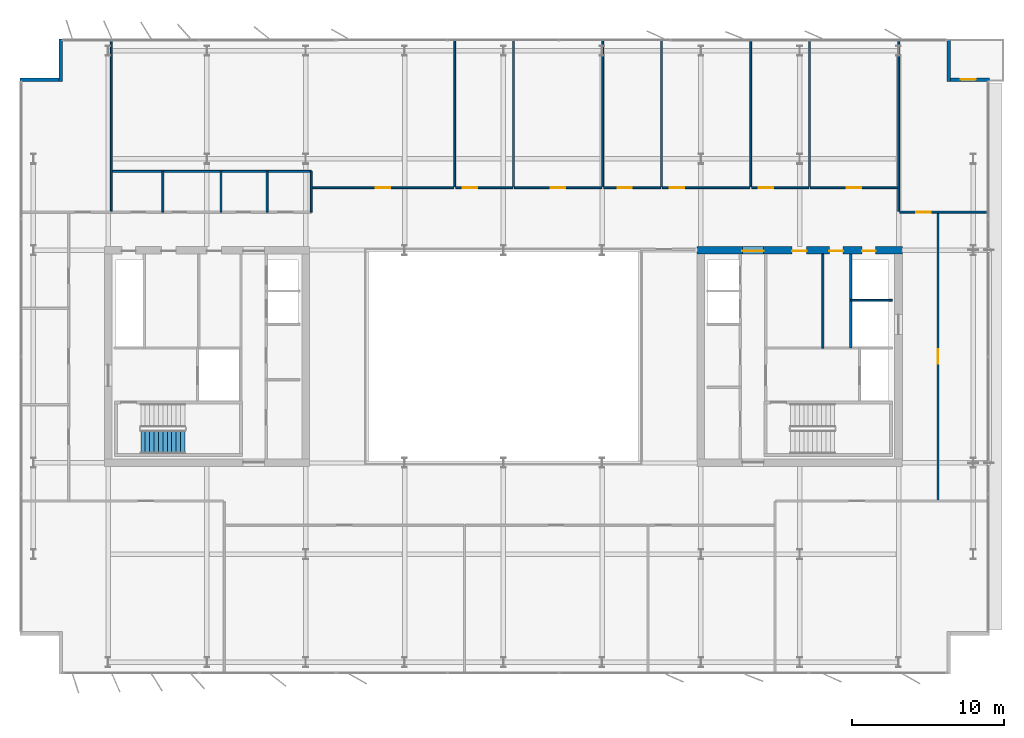
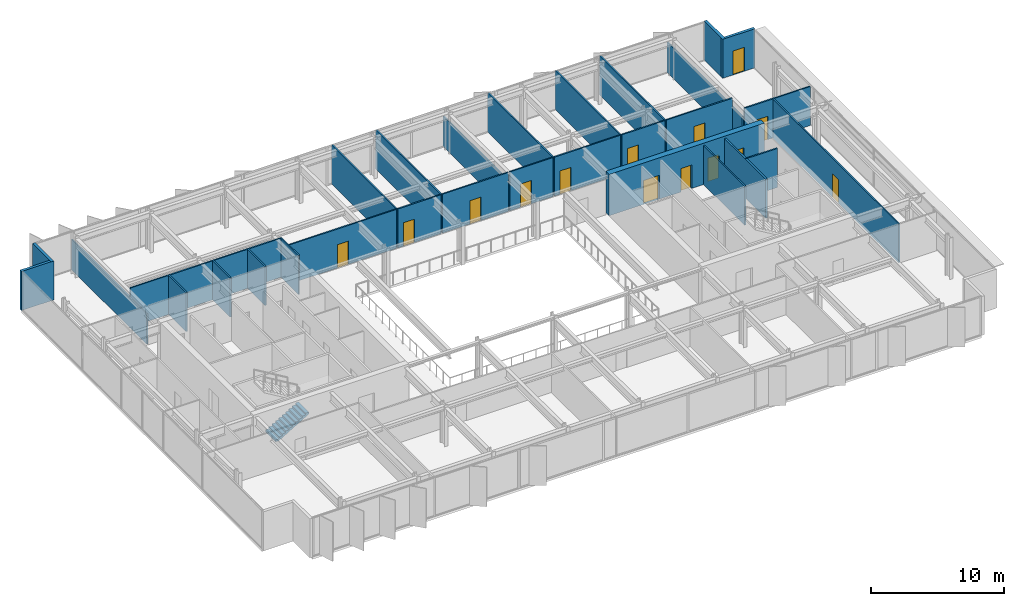
# One storey, part 14 of 19: 30 walls, 14 doors, 1 stair flight, 14 openings, 1 element without a shape of its own.
"""IFC4 building model written with IfcOpenShell, lengths in metres."""

from ifc_helpers import new_model, si_unit, direction, frame, frame_2d, origin, place, context, subcontext, project, spatial, polyline, rectangle, outline, extrude, material, layer, layer_set, type_object, element, fill, aggregate, save


model = new_model("IFC4")

# Units and contexts
model_context = context("Model", 3, precision=1e-05, world=origin(), true_north=direction((0.0, 1.0)))
body_context = subcontext(model_context, "Body", "Model", "MODEL_VIEW")
ifc_project = project(units=[si_unit("LENGTHUNIT", "METRE"), si_unit("AREAUNIT", "SQUARE_METRE"), si_unit("VOLUMEUNIT", "CUBIC_METRE"), si_unit("PLANEANGLEUNIT", "RADIAN"), si_unit("MASSUNIT", "GRAM", prefix="KILO")], contexts=[model_context])

# Site, building, storey
site_placement = place(None, origin())
site = spatial("IfcSite", under=ifc_project, at=site_placement, CompositionType="ELEMENT")
building_placement = place(site_placement, origin())
building = spatial("IfcBuilding", under=site, at=building_placement, Name="Putna Gate Headquarters", CompositionType="ELEMENT")
storey_placement = place(building_placement, frame((0.0, 0.0, 263.199951171875)))
storey = spatial("IfcBuildingStorey", under=building, at=storey_placement, Name="L66", CompositionType="ELEMENT", Elevation=263.199951171875)

# Wall, openings, doors
ifc_material_1 = material(Name="Concrete C50/60", Category="concrete")
ifc_layer_1 = layer(ifc_material_1, 0.5)
ifc_layer_set_1 = layer_set([ifc_layer_1], Name="Concrete C50/60")
wall_type_1 = type_object("IfcWallType", Name="WALL-CORE-500", PredefinedType="SHEAR", material=ifc_layer_set_1)
wall_1_placement = place(storey_placement, frame((51.75, 33.0, 0.0), z_axis=(0.0, 0.0, 1.0), x_axis=(1.0, 0.0, 0.0)))
wall_1 = element("IfcWall", 1, at=wall_1_placement, inside=storey, type_object=wall_type_1, Name="L66 EC Split Core Shear Wall N", PredefinedType="SHEAR", context=body_context, shape_type="SweptSolid", body=[
    extrude(rectangle(XDim=13.5, YDim=0.5, at=frame_2d((6.75, 0.0))), origin(), (0.0, 0.0, 1.0), 3.800048828125),
])
opening_1_placement = place(wall_1_placement, frame((2.969970703125, 0.0, 0.0)))
opening_1 = element("IfcOpeningElement", 2, at=opening_1_placement, cuts=wall_1, Name="Opening FDD-140", PredefinedType="OPENING", context=body_context, shape_type="SweptSolid", body=[
    extrude(rectangle(XDim=1.39990234375, YDim=2.199951171875, at=frame_2d((0.699951171875, 1.10009765625))), frame((0.0, 0.260009765625, 0.0), z_axis=(0.0, -1.0, 0.0), x_axis=(1.0, 0.0, 0.0)), (0.0, 0.0, 1.0), 0.52001953125),
])
opening_2_placement = place(wall_1_placement, frame((10.85009765625, 0.0, 0.0)))
opening_2 = element("IfcOpeningElement", 3, at=opening_2_placement, cuts=wall_1, Name="Opening RD-90", PredefinedType="OPENING", context=body_context, shape_type="SweptSolid", body=[
    extrude(rectangle(XDim=0.89990234375, YDim=2.14990234375, at=frame_2d((0.449951171875, 1.074951171875))), frame((0.0, 0.260009765625, 0.0), z_axis=(0.0, -1.0, 0.0), x_axis=(1.0, 0.0, 0.0)), (0.0, 0.0, 1.0), 0.52001953125),
])
opening_3_placement = place(wall_1_placement, frame((6.25, 0.0, 0.0)))
opening_3 = element("IfcOpeningElement", 4, at=opening_3_placement, cuts=wall_1, Name="Opening IDS-95", PredefinedType="OPENING", context=body_context, shape_type="SweptSolid", body=[
    extrude(rectangle(XDim=0.949951171875, YDim=2.14990234375, at=frame_2d((0.47509765625, 1.074951171875))), frame((0.0, 0.260009765625, 0.0), z_axis=(0.0, -1.0, 0.0), x_axis=(1.0, 0.0, 0.0)), (0.0, 0.0, 1.0), 0.52001953125),
])
opening_4_placement = place(wall_1_placement, frame((8.699951171875, 0.0, 0.0)))
opening_4 = element("IfcOpeningElement", 5, at=opening_4_placement, cuts=wall_1, Name="Opening IDS-90", PredefinedType="OPENING", context=body_context, shape_type="SweptSolid", body=[
    extrude(rectangle(XDim=0.89990234375, YDim=2.14990234375, at=frame_2d((0.449951171875, 1.074951171875))), frame((0.0, 0.260009765625, 0.0), z_axis=(0.0, -1.0, 0.0), x_axis=(1.0, 0.0, 0.0)), (0.0, 0.0, 1.0), 0.52001953125),
])
ifc_material_2 = material(Name="Double steel fire door", Category="steel")
door_type_1 = type_object("IfcDoorType", Name="DOOR-FIRE-DBL-1400", OperationType="DOUBLE_DOOR_SINGLE_SWING", PredefinedType="DOOR", material=ifc_material_2)
door_1_placement = place(opening_1_placement, origin())
door_1 = element("IfcDoor", 6, at=door_1_placement, inside=storey, type_object=door_type_1, Name="L66 East Lift Lobby North Door", OperationType="DOUBLE_DOOR_SINGLE_SWING", OverallHeight=2.199951171875, OverallWidth=1.39990234375, PredefinedType="DOOR", context=body_context, shape_type="SweptSolid", body=[
    extrude(rectangle(XDim=1.39990234375, YDim=2.199951171875, at=frame_2d((0.699951171875, 1.10009765625))), frame((0.0, -0.02490234375, 0.0), z_axis=(0.0, -1.0, 0.0), x_axis=(1.0, 0.0, 0.0)), (0.0, 0.0, 1.0), 0.050048828125),
])
fill(opening_1, door_1)
ifc_material_3 = material(Name="Fire-rated utility door")
door_type_2 = type_object("IfcDoorType", Name="DOOR-INT-900", OperationType="NOTDEFINED", PredefinedType="DOOR", material=ifc_material_3)
door_2_placement = place(opening_4_placement, origin())
door_2 = element("IfcDoor", 7, at=door_2_placement, inside=storey, type_object=door_type_2, Name="L66 Electrical Plant Door", OperationType="SINGLE_SWING_LEFT", OverallHeight=2.14990234375, OverallWidth=0.89990234375, PredefinedType="DOOR", context=body_context, shape_type="SweptSolid", body=[
    extrude(rectangle(XDim=0.89990234375, YDim=2.14990234375, at=frame_2d((0.449951171875, 1.074951171875))), frame((0.0, -0.02490234375, 0.0), z_axis=(0.0, -1.0, 0.0), x_axis=(1.0, 0.0, 0.0)), (0.0, 0.0, 1.0), 0.050048828125),
])
fill(opening_4, door_2)
ifc_material_4 = material(Name="Fire-rated service timber door", Category="wood")
door_type_3 = type_object("IfcDoorType", Name="DOOR-INT-950", OperationType="NOTDEFINED", PredefinedType="DOOR", material=ifc_material_4)
door_3_placement = place(opening_3_placement, origin())
door_3 = element("IfcDoor", 8, at=door_3_placement, inside=storey, type_object=door_type_3, Name="L66 East Store Door", OperationType="SINGLE_SWING_RIGHT", OverallHeight=2.14990234375, OverallWidth=0.949951171875, PredefinedType="DOOR", context=body_context, shape_type="SweptSolid", body=[
    extrude(rectangle(XDim=0.949951171875, YDim=2.14990234375, at=frame_2d((0.47509765625, 1.074951171875))), frame((0.0, -0.02490234375, 0.0), z_axis=(0.0, -1.0, 0.0), x_axis=(1.0, 0.0, 0.0)), (0.0, 0.0, 1.0), 0.050048828125),
])
fill(opening_3, door_3)
ifc_material_5 = material(Name="Steel riser access fire door", Category="steel")
door_type_4 = type_object("IfcDoorType", Name="DOOR-RISER-900", OperationType="NOTDEFINED", PredefinedType="DOOR", material=ifc_material_5)
door_4_placement = place(opening_2_placement, origin())
door_4 = element("IfcDoor", 9, at=door_4_placement, inside=storey, type_object=door_type_4, Name="L66 East Riser Access Door", OperationType="SINGLE_SWING_LEFT", OverallHeight=2.14990234375, OverallWidth=0.89990234375, PredefinedType="DOOR", context=body_context, shape_type="SweptSolid", body=[
    extrude(rectangle(XDim=0.89990234375, YDim=2.14990234375, at=frame_2d((0.449951171875, 1.074951171875))), frame((0.0, -0.02490234375, 0.0), z_axis=(0.0, -1.0, 0.0), x_axis=(1.0, 0.0, 0.0)), (0.0, 0.0, 1.0), 0.050048828125),
])
fill(opening_2, door_4)

# Walls
ifc_material_6 = material(Name="Precast concrete C40/50", Category="concrete")
ifc_layer_2 = layer(ifc_material_6, 0.239990234375)
ifc_layer_set_2 = layer_set([ifc_layer_2], Name="Precast concrete C40/50")
wall_type_2 = type_object("IfcWallType", Name="WALL-EXT-TERR-240", PredefinedType="STANDARD", material=ifc_layer_set_2)
wall_2_placement = place(storey_placement, frame((9.8798828125, 44.10009765625, 0.0), z_axis=(0.0, 0.0, 1.0), x_axis=(0.0, 1.0, 0.0)))
element("IfcWall", 10, at=wall_2_placement, inside=storey, type_object=wall_type_2, Name="L66 Corner Notch Return Wall NW-V", PredefinedType="STANDARD", context=body_context, shape_type="SweptSolid", body=[
    extrude(rectangle(XDim=2.7998046875, YDim=0.239990234375, at=frame_2d((1.39990234375, 0.0))), origin(), (0.0, 0.0, 1.0), 3.588134765625),
])
wall_3_placement = place(storey_placement, frame((7.199951171875, 44.219970703125, 0.0), z_axis=(0.0, 0.0, 1.0), x_axis=(1.0, 0.0, 0.0)))
element("IfcWall", 11, at=wall_3_placement, inside=storey, type_object=wall_type_2, Name="L66 Corner Notch Return Wall NW-H", PredefinedType="STANDARD", context=body_context, shape_type="SweptSolid", body=[
    extrude(rectangle(XDim=2.800048828125, YDim=0.239990234375, at=frame_2d((1.39990234375, 0.0))), origin(), (0.0, 0.0, 1.0), 3.588134765625),
])
wall_4_placement = place(storey_placement, frame((68.30908203125, 46.89990234375, 0.0), z_axis=(0.0, 0.0, 1.0), x_axis=(0.0, -1.0, 0.0)))
element("IfcWall", 12, at=wall_4_placement, inside=storey, type_object=wall_type_2, Name="L66 Corner Notch Return Wall NE-V", PredefinedType="STANDARD", context=body_context, shape_type="SweptSolid", body=[
    extrude(rectangle(XDim=2.7998046875, YDim=0.239990234375, at=frame_2d((1.39990234375, 0.0))), origin(), (0.0, 0.0, 1.0), 3.588134765625),
])

# Wall, opening, door
wall_5_placement = place(storey_placement, frame((68.18896484375, 44.219970703125, 0.0), z_axis=(0.0, 0.0, 1.0), x_axis=(1.0, 0.0, 0.0)))
wall_5 = element("IfcWall", 13, at=wall_5_placement, inside=storey, type_object=wall_type_2, Name="L66 Corner Notch Return Wall NE-H", PredefinedType="STANDARD", context=body_context, shape_type="SweptSolid", body=[
    extrude(rectangle(XDim=2.800048828125, YDim=0.239990234375, at=frame_2d((1.39990234375, 0.0))), origin(), (0.0, 0.0, 1.0), 3.588134765625),
])
opening_5_placement = place(wall_5_placement, frame((0.89990234375, 0.0, 0.0)))
opening_5 = element("IfcOpeningElement", 14, at=opening_5_placement, cuts=wall_5, Name="Opening TRD-1", PredefinedType="OPENING", context=body_context, shape_type="SweptSolid", body=[
    extrude(rectangle(XDim=1.0, YDim=2.199951171875, at=frame_2d((0.5, 1.10009765625))), frame((0.0, 0.1298828125, 0.0), z_axis=(0.0, -1.0, 0.0), x_axis=(1.0, 0.0, 0.0)), (0.0, 0.0, 1.0), 0.260009765625),
])
ifc_material_7 = material(Name="Thermally broken bronze glazed terrace door")
door_type_5 = type_object("IfcDoorType", Name="DOOR-TERR-EXT-1000", OperationType="NOTDEFINED", PredefinedType="DOOR", material=ifc_material_7)
door_5_placement = place(opening_5_placement, origin())
door_5 = element("IfcDoor", 15, at=door_5_placement, inside=storey, type_object=door_type_5, Name="L66 Spiral Sky Terrace Door NE", OperationType="SINGLE_SWING_LEFT", OverallHeight=2.199951171875, OverallWidth=1.0, PredefinedType="DOOR", context=body_context, shape_type="SweptSolid", body=[
    extrude(rectangle(XDim=1.0, YDim=2.199951171875, at=frame_2d((0.5, 1.10009765625))), frame((0.0, 0.02490234375, 0.0), z_axis=(0.0, -1.0, 0.0), x_axis=(1.0, 0.0, 0.0)), (0.0, 0.0, 1.0), 0.050048828125),
])
fill(opening_5, door_5)

# Walls
ifc_material_8 = material(Name="Acoustic gypsum board on metal stud")
ifc_layer_3 = layer(ifc_material_8, 0.1201171875)
ifc_layer_set_3 = layer_set([ifc_layer_3], Name="Acoustic gypsum board on metal stud")
wall_type_3 = type_object("IfcWallType", Name="WALL-PART-120", PredefinedType="PARTITIONING", material=ifc_layer_set_3)
wall_6_placement = place(storey_placement, frame((13.199951171875, 35.56005859375, 0.0), z_axis=(0.0, 0.0, 1.0), x_axis=(0.0, 1.0, 0.0)))
element("IfcWall", 16, at=wall_6_placement, inside=storey, type_object=wall_type_3, Name="L66 Interior Wall PART-L66-NB-DIV-01", PredefinedType="PARTITIONING", context=body_context, shape_type="SweptSolid", body=[
    extrude(rectangle(XDim=11.31982421875, YDim=0.1201171875, at=frame_2d((5.659912109375, 0.0))), origin(), (0.0, 0.0, 1.0), 2.7880859375),
])
for number, where, z_axis, x_axis, name in (
    (17, (35.800048828125, 37.159912109375, 0.0), (0.0, 0.0, 1.0), (0.0, 1.0, 0.0), "L66 Interior Wall PART-L66-NB-DIV-02"),
    (18, (39.666015625, 37.159912109375, 0.0), (0.0, 0.0, 1.0), (0.0, 1.0, 0.0), "L66 Interior Wall PART-L66-NB-DIV-03"),
):
    element("IfcWall", number, at=place(storey_placement, frame(where, z_axis=z_axis, x_axis=x_axis)), inside=storey, type_object=wall_type_3, Name=name, PredefinedType="PARTITIONING", context=body_context, shape_type="SweptSolid", body=[
        extrude(rectangle(XDim=9.719970703125, YDim=0.1201171875, at=frame_2d((4.85986328125, 0.0))), origin(), (0.0, 0.0, 1.0), 3.588134765625),
    ])
wall_7_placement = place(storey_placement, frame((45.53662109375, 37.159912109375, 0.0), z_axis=(0.0, 0.0, 1.0), x_axis=(0.0, 1.0, 0.0)))
element("IfcWall", 19, at=wall_7_placement, inside=storey, type_object=wall_type_3, Name="L66 Interior Wall PART-L66-NB-DIV-04", PredefinedType="PARTITIONING", context=body_context, shape_type="SweptSolid", body=[
    extrude(rectangle(XDim=9.719970703125, YDim=0.1201171875, at=frame_2d((4.85986328125, 0.0))), origin(), (0.0, 0.0, 1.0), 2.7880859375),
])
for number, where, z_axis, x_axis, name in (
    (20, (49.402587890625, 37.159912109375, 0.0), (0.0, 0.0, 1.0), (0.0, 1.0, 0.0), "L66 Interior Wall PART-L66-NB-DIV-05"),
    (21, (55.273193359375, 37.159912109375, 0.0), (0.0, 0.0, 1.0), (0.0, 1.0, 0.0), "L66 Interior Wall PART-L66-NB-DIV-06"),
    (22, (59.139404296875, 37.159912109375, 0.0), (0.0, 0.0, 1.0), (0.0, 1.0, 0.0), "L66 Interior Wall PART-L66-NB-DIV-07"),
):
    element("IfcWall", number, at=place(storey_placement, frame(where, z_axis=z_axis, x_axis=x_axis)), inside=storey, type_object=wall_type_3, Name=name, PredefinedType="PARTITIONING", context=body_context, shape_type="SweptSolid", body=[
        extrude(rectangle(XDim=9.719970703125, YDim=0.1201171875, at=frame_2d((4.85986328125, 0.0))), origin(), (0.0, 0.0, 1.0), 3.588134765625),
    ])
wall_8_placement = place(storey_placement, frame((65.010009765625, 35.56005859375, 0.0), z_axis=(0.0, 0.0, 1.0), x_axis=(0.0, 1.0, 0.0)))
element("IfcWall", 23, at=wall_8_placement, inside=storey, type_object=wall_type_3, Name="L66 Interior Wall PART-L66-NB-DIV-08", PredefinedType="PARTITIONING", context=body_context, shape_type="SweptSolid", body=[
    extrude(rectangle(XDim=11.31982421875, YDim=0.1201171875, at=frame_2d((5.659912109375, 0.0))), origin(), (0.0, 0.0, 1.0), 2.7880859375),
])
ifc_material_9 = material(Name="Fire-rated shaftwall gypsum board on metal stud")
ifc_layer_4 = layer(ifc_material_9, 0.1201171875)
ifc_layer_set_4 = layer_set([ifc_layer_4], Name="Fire-rated shaftwall gypsum board on metal stud")
wall_type_4 = type_object("IfcWallType", Name="WALL-PART-120-EI120", PredefinedType="PARTITIONING", material=ifc_layer_set_4)
wall_9_placement = place(storey_placement, frame((61.8701171875, 29.699951171875, 0.0), z_axis=(0.0, 0.0, 1.0), x_axis=(1.0, 0.0, 0.0)))
element("IfcWall", 24, at=wall_9_placement, inside=storey, type_object=wall_type_4, Name="L66 Interior Wall CWINT-L66-EC-LF15-N", PredefinedType="PARTITIONING", context=body_context, shape_type="SweptSolid", body=[
    extrude(rectangle(XDim=2.72998046875, YDim=0.1201171875, at=frame_2d((1.364990234375, 0.0))), origin(), (0.0, 0.0, 1.0), 3.588134765625),
])
ifc_material_10 = material(Name="Fire-rated gypsum board on metal stud")
ifc_layer_5 = layer(ifc_material_10, 0.1201171875)
ifc_layer_set_5 = layer_set([ifc_layer_5], Name="Fire-rated gypsum board on metal stud")
wall_type_5 = type_object("IfcWallType", Name="WALL-PART-120-RATED", PredefinedType="PARTITIONING", material=ifc_layer_set_5)
wall_10_placement = place(storey_placement, frame((60.02001953125, 26.56005859375, 0.0), z_axis=(0.0, 0.0, 1.0), x_axis=(0.0, 1.0, 0.0)))
element("IfcWall", 25, at=wall_10_placement, inside=storey, type_object=wall_type_5, Name="L66 Interior Wall CWINT-L66-EC-K0-DIV", PredefinedType="PARTITIONING", context=body_context, shape_type="SweptSolid", body=[
    extrude(rectangle(XDim=6.18994140625, YDim=0.1201171875, at=frame_2d((3.094970703125, 0.0))), origin(), (0.0, 0.0, 1.0), 3.588134765625),
])
wall_11_placement = place(storey_placement, frame((13.199951171875, 38.179931640625, 0.0), z_axis=(0.0, 0.0, 1.0), x_axis=(1.0, 0.0, 0.0)))
element("IfcWall", 26, at=wall_11_placement, inside=storey, type_object=wall_type_5, Name="L66 Interior Wall PART-L66-SAN-BACK", PredefinedType="PARTITIONING", context=body_context, shape_type="SweptSolid", body=[
    extrude(rectangle(XDim=13.16015625, YDim=0.1201171875, at=frame_2d((6.580078125, 0.0))), origin(), (0.0, 0.0, 1.0), 3.588134765625),
])
for number, where, z_axis, x_axis, name in (
    (27, (16.60009765625, 35.5, 0.0), (0.0, 0.0, 1.0), (0.0, 1.0, 0.0), "L66 Interior Wall PART-L66-SAN-DIV-1"),
    (28, (20.419921875, 35.5, 0.0), (0.0, 0.0, 1.0), (0.0, 1.0, 0.0), "L66 Interior Wall PART-L66-SAN-DIV-2"),
    (29, (23.4599609375, 35.5, 0.0), (0.0, 0.0, 1.0), (0.0, 1.0, 0.0), "L66 Interior Wall PART-L66-SAN-DIV-3"),
    (30, (26.360107421875, 35.5, 0.0), (0.0, 0.0, 1.0), (0.0, 1.0, 0.0), "L66 Interior Wall PART-L66-SAN-DIV-4"),
):
    element("IfcWall", number, at=place(storey_placement, frame(where, z_axis=z_axis, x_axis=x_axis)), inside=storey, type_object=wall_type_5, Name=name, PredefinedType="PARTITIONING", context=body_context, shape_type="SweptSolid", body=[
        extrude(rectangle(XDim=2.679931640625, YDim=0.1201171875, at=frame_2d((1.33984375, 0.0))), origin(), (0.0, 0.0, 1.0), 3.588134765625),
    ])

# Wall, opening, door
wall_12_placement = place(storey_placement, frame((26.419921875, 37.10009765625, 0.0), z_axis=(0.0, 0.0, 1.0), x_axis=(1.0, 0.0, 0.0)))
wall_12 = element("IfcWall", 31, at=wall_12_placement, inside=storey, type_object=wall_type_5, Name="L66 Interior Wall PART-L66-NB-CW-02", PredefinedType="PARTITIONING", context=body_context, shape_type="SweptSolid", body=[
    extrude(rectangle(XDim=9.320068359375, YDim=0.1201171875, at=frame_2d((4.66015625, 0.0))), origin(), (0.0, 0.0, 1.0), 3.588134765625),
])
opening_6_placement = place(wall_12_placement, frame((4.18505859375, 0.0, 0.0)))
opening_6 = element("IfcOpeningElement", 32, at=opening_6_placement, cuts=wall_12, Name="Opening FD-95", PredefinedType="OPENING", context=body_context, shape_type="SweptSolid", body=[
    extrude(rectangle(XDim=0.949951171875, YDim=2.14990234375, at=frame_2d((0.47509765625, 1.074951171875))), frame((0.0, 0.070068359375, 0.0), z_axis=(0.0, -1.0, 0.0), x_axis=(1.0, 0.0, 0.0)), (0.0, 0.0, 1.0), 0.14013671875),
])
ifc_material_11 = material(Name="Acoustic timber fire door", Category="wood")
door_type_6 = type_object("IfcDoorType", Name="DOOR-FIRE-950", OperationType="NOTDEFINED", PredefinedType="DOOR", material=ifc_material_11)
door_6_placement = place(opening_6_placement, origin())
door_6 = element("IfcDoor", 33, at=door_6_placement, inside=storey, type_object=door_type_6, Name="L66 Primary Open Office Workplace Door", OperationType="SINGLE_SWING_LEFT", OverallHeight=2.14990234375, OverallWidth=0.949951171875, PredefinedType="DOOR", context=body_context, shape_type="SweptSolid", body=[
    extrude(rectangle(XDim=0.949951171875, YDim=2.14990234375, at=frame_2d((0.47509765625, 1.074951171875))), frame((0.0, 0.02490234375, 0.0), z_axis=(0.0, -1.0, 0.0), x_axis=(1.0, 0.0, 0.0)), (0.0, 0.0, 1.0), 0.050048828125),
])
fill(opening_6, door_6)

wall_13_placement = place(storey_placement, frame((35.860107421875, 37.10009765625, 0.0), z_axis=(0.0, 0.0, 1.0), x_axis=(1.0, 0.0, 0.0)))
wall_13 = element("IfcWall", 34, at=wall_13_placement, inside=storey, type_object=wall_type_5, Name="L66 Interior Wall PART-L66-NB-CW-03", PredefinedType="PARTITIONING", context=body_context, shape_type="SweptSolid", body=[
    extrude(rectangle(XDim=3.745849609375, YDim=0.1201171875, at=frame_2d((1.873046875, 0.0))), origin(), (0.0, 0.0, 1.0), 3.588134765625),
])
opening_7_placement = place(wall_13_placement, frame((0.47998046875, 0.0, 0.0)))
opening_7 = element("IfcOpeningElement", 35, at=opening_7_placement, cuts=wall_13, Name="Opening FD-95", PredefinedType="OPENING", context=body_context, shape_type="SweptSolid", body=[
    extrude(rectangle(XDim=0.949951171875, YDim=2.14990234375, at=frame_2d((0.47509765625, 1.074951171875))), frame((0.0, 0.070068359375, 0.0), z_axis=(0.0, -1.0, 0.0), x_axis=(1.0, 0.0, 0.0)), (0.0, 0.0, 1.0), 0.14013671875),
])
door_7_placement = place(opening_7_placement, origin())
door_7 = element("IfcDoor", 36, at=door_7_placement, inside=storey, type_object=door_type_6, Name="L66 Quiet Wellness Focus Studio 2 Door", OperationType="SINGLE_SWING_RIGHT", OverallHeight=2.14990234375, OverallWidth=0.949951171875, PredefinedType="DOOR", context=body_context, shape_type="SweptSolid", body=[
    extrude(rectangle(XDim=0.949951171875, YDim=2.14990234375, at=frame_2d((0.47509765625, 1.074951171875))), frame((0.0, 0.02490234375, 0.0), z_axis=(0.0, -1.0, 0.0), x_axis=(1.0, 0.0, 0.0)), (0.0, 0.0, 1.0), 0.050048828125),
])
fill(opening_7, door_7)

wall_14_placement = place(storey_placement, frame((39.72607421875, 37.10009765625, 0.0), z_axis=(0.0, 0.0, 1.0), x_axis=(1.0, 0.0, 0.0)))
wall_14 = element("IfcWall", 37, at=wall_14_placement, inside=storey, type_object=wall_type_5, Name="L66 Interior Wall PART-L66-NB-CW-04", PredefinedType="PARTITIONING", context=body_context, shape_type="SweptSolid", body=[
    extrude(rectangle(XDim=5.750732421875, YDim=0.1201171875, at=frame_2d((2.87548828125, 0.0))), origin(), (0.0, 0.0, 1.0), 3.588134765625),
])
opening_8_placement = place(wall_14_placement, frame((2.400390625, 0.0, 0.0)))
opening_8 = element("IfcOpeningElement", 38, at=opening_8_placement, cuts=wall_14, Name="Opening FD-95", PredefinedType="OPENING", context=body_context, shape_type="SweptSolid", body=[
    extrude(rectangle(XDim=0.949951171875, YDim=2.14990234375, at=frame_2d((0.47509765625, 1.074951171875))), frame((0.0, 0.070068359375, 0.0), z_axis=(0.0, -1.0, 0.0), x_axis=(1.0, 0.0, 0.0)), (0.0, 0.0, 1.0), 0.14013671875),
])
door_8_placement = place(opening_8_placement, origin())
door_8 = element("IfcDoor", 39, at=door_8_placement, inside=storey, type_object=door_type_6, Name="L66 Cellular Office 1 Door", OperationType="SINGLE_SWING_LEFT", OverallHeight=2.14990234375, OverallWidth=0.949951171875, PredefinedType="DOOR", context=body_context, shape_type="SweptSolid", body=[
    extrude(rectangle(XDim=0.949951171875, YDim=2.14990234375, at=frame_2d((0.47509765625, 1.074951171875))), frame((0.0, 0.02490234375, 0.0), z_axis=(0.0, -1.0, 0.0), x_axis=(1.0, 0.0, 0.0)), (0.0, 0.0, 1.0), 0.050048828125),
])
fill(opening_8, door_8)

wall_15_placement = place(storey_placement, frame((45.5966796875, 37.10009765625, 0.0), z_axis=(0.0, 0.0, 1.0), x_axis=(1.0, 0.0, 0.0)))
wall_15 = element("IfcWall", 40, at=wall_15_placement, inside=storey, type_object=wall_type_5, Name="L66 Interior Wall PART-L66-NB-CW-05", PredefinedType="PARTITIONING", context=body_context, shape_type="SweptSolid", body=[
    extrude(rectangle(XDim=3.74609375, YDim=0.1201171875, at=frame_2d((1.873046875, 0.0))), origin(), (0.0, 0.0, 1.0), 3.588134765625),
])
opening_9_placement = place(wall_15_placement, frame((0.91552734375, 0.0, 0.0)))
opening_9 = element("IfcOpeningElement", 41, at=opening_9_placement, cuts=wall_15, Name="Opening FD-95", PredefinedType="OPENING", context=body_context, shape_type="SweptSolid", body=[
    extrude(rectangle(XDim=0.949951171875, YDim=2.14990234375, at=frame_2d((0.47509765625, 1.074951171875))), frame((0.0, 0.070068359375, 0.0), z_axis=(0.0, -1.0, 0.0), x_axis=(1.0, 0.0, 0.0)), (0.0, 0.0, 1.0), 0.14013671875),
])
door_9_placement = place(opening_9_placement, origin())
door_9 = element("IfcDoor", 42, at=door_9_placement, inside=storey, type_object=door_type_6, Name="L66 Cellular Office 2 Door", OperationType="SINGLE_SWING_RIGHT", OverallHeight=2.14990234375, OverallWidth=0.949951171875, PredefinedType="DOOR", context=body_context, shape_type="SweptSolid", body=[
    extrude(rectangle(XDim=0.949951171875, YDim=2.14990234375, at=frame_2d((0.47509765625, 1.074951171875))), frame((0.0, 0.02490234375, 0.0), z_axis=(0.0, -1.0, 0.0), x_axis=(1.0, 0.0, 0.0)), (0.0, 0.0, 1.0), 0.050048828125),
])
fill(opening_9, door_9)

wall_16_placement = place(storey_placement, frame((49.462646484375, 37.10009765625, 0.0), z_axis=(0.0, 0.0, 1.0), x_axis=(1.0, 0.0, 0.0)))
wall_16 = element("IfcWall", 43, at=wall_16_placement, inside=storey, type_object=wall_type_5, Name="L66 Interior Wall PART-L66-NB-CW-06", PredefinedType="PARTITIONING", context=body_context, shape_type="SweptSolid", body=[
    extrude(rectangle(XDim=5.750732421875, YDim=0.1201171875, at=frame_2d((2.87548828125, 0.0))), origin(), (0.0, 0.0, 1.0), 3.588134765625),
])
opening_10_placement = place(wall_16_placement, frame((0.47998046875, 0.0, 0.0)))
opening_10 = element("IfcOpeningElement", 44, at=opening_10_placement, cuts=wall_16, Name="Opening FD-95", PredefinedType="OPENING", context=body_context, shape_type="SweptSolid", body=[
    extrude(rectangle(XDim=0.949951171875, YDim=2.14990234375, at=frame_2d((0.47509765625, 1.074951171875))), frame((0.0, 0.070068359375, 0.0), z_axis=(0.0, -1.0, 0.0), x_axis=(1.0, 0.0, 0.0)), (0.0, 0.0, 1.0), 0.14013671875),
])
door_10_placement = place(opening_10_placement, origin())
door_10 = element("IfcDoor", 45, at=door_10_placement, inside=storey, type_object=door_type_6, Name="L66 Cellular Office 3 Door", OperationType="SINGLE_SWING_LEFT", OverallHeight=2.14990234375, OverallWidth=0.949951171875, PredefinedType="DOOR", context=body_context, shape_type="SweptSolid", body=[
    extrude(rectangle(XDim=0.949951171875, YDim=2.14990234375, at=frame_2d((0.47509765625, 1.074951171875))), frame((0.0, 0.02490234375, 0.0), z_axis=(0.0, -1.0, 0.0), x_axis=(1.0, 0.0, 0.0)), (0.0, 0.0, 1.0), 0.050048828125),
])
fill(opening_10, door_10)

wall_17_placement = place(storey_placement, frame((55.333251953125, 37.10009765625, 0.0), z_axis=(0.0, 0.0, 1.0), x_axis=(1.0, 0.0, 0.0)))
wall_17 = element("IfcWall", 46, at=wall_17_placement, inside=storey, type_object=wall_type_5, Name="L66 Interior Wall PART-L66-NB-CW-07", PredefinedType="PARTITIONING", context=body_context, shape_type="SweptSolid", body=[
    extrude(rectangle(XDim=3.74609375, YDim=0.1201171875, at=frame_2d((1.873046875, 0.0))), origin(), (0.0, 0.0, 1.0), 3.588134765625),
])
opening_11_placement = place(wall_17_placement, frame((0.47998046875, 0.0, 0.0)))
opening_11 = element("IfcOpeningElement", 47, at=opening_11_placement, cuts=wall_17, Name="Opening FD-95", PredefinedType="OPENING", context=body_context, shape_type="SweptSolid", body=[
    extrude(rectangle(XDim=0.949951171875, YDim=2.14990234375, at=frame_2d((0.47509765625, 1.074951171875))), frame((0.0, 0.070068359375, 0.0), z_axis=(0.0, -1.0, 0.0), x_axis=(1.0, 0.0, 0.0)), (0.0, 0.0, 1.0), 0.14013671875),
])
door_11_placement = place(opening_11_placement, origin())
door_11 = element("IfcDoor", 48, at=door_11_placement, inside=storey, type_object=door_type_6, Name="L66 Cellular Office 4 Door", OperationType="SINGLE_SWING_RIGHT", OverallHeight=2.14990234375, OverallWidth=0.949951171875, PredefinedType="DOOR", context=body_context, shape_type="SweptSolid", body=[
    extrude(rectangle(XDim=0.949951171875, YDim=2.14990234375, at=frame_2d((0.47509765625, 1.074951171875))), frame((0.0, 0.02490234375, 0.0), z_axis=(0.0, -1.0, 0.0), x_axis=(1.0, 0.0, 0.0)), (0.0, 0.0, 1.0), 0.050048828125),
])
fill(opening_11, door_11)

wall_18_placement = place(storey_placement, frame((59.19921875, 37.10009765625, 0.0), z_axis=(0.0, 0.0, 1.0), x_axis=(1.0, 0.0, 0.0)))
wall_18 = element("IfcWall", 49, at=wall_18_placement, inside=storey, type_object=wall_type_5, Name="L66 Interior Wall PART-L66-NB-CW-08", PredefinedType="PARTITIONING", context=body_context, shape_type="SweptSolid", body=[
    extrude(rectangle(XDim=5.750732421875, YDim=0.1201171875, at=frame_2d((2.87548828125, 0.0))), origin(), (0.0, 0.0, 1.0), 3.588134765625),
])
opening_12_placement = place(wall_18_placement, frame((2.400390625, 0.0, 0.0)))
opening_12 = element("IfcOpeningElement", 50, at=opening_12_placement, cuts=wall_18, Name="Opening FD-95", PredefinedType="OPENING", context=body_context, shape_type="SweptSolid", body=[
    extrude(rectangle(XDim=0.949951171875, YDim=2.14990234375, at=frame_2d((0.47509765625, 1.074951171875))), frame((0.0, 0.070068359375, 0.0), z_axis=(0.0, -1.0, 0.0), x_axis=(1.0, 0.0, 0.0)), (0.0, 0.0, 1.0), 0.14013671875),
])
door_12_placement = place(opening_12_placement, origin())
door_12 = element("IfcDoor", 51, at=door_12_placement, inside=storey, type_object=door_type_6, Name="L66 Cellular Office 5 Door", OperationType="SINGLE_SWING_LEFT", OverallHeight=2.14990234375, OverallWidth=0.949951171875, PredefinedType="DOOR", context=body_context, shape_type="SweptSolid", body=[
    extrude(rectangle(XDim=0.949951171875, YDim=2.14990234375, at=frame_2d((0.47509765625, 1.074951171875))), frame((0.0, 0.02490234375, 0.0), z_axis=(0.0, -1.0, 0.0), x_axis=(1.0, 0.0, 0.0)), (0.0, 0.0, 1.0), 0.050048828125),
])
fill(opening_12, door_12)

wall_19_placement = place(storey_placement, frame((65.070068359375, 35.5, 0.0), z_axis=(0.0, 0.0, 1.0), x_axis=(1.0, 0.0, 0.0)))
wall_19 = element("IfcWall", 52, at=wall_19_placement, inside=storey, type_object=wall_type_5, Name="L66 Interior Wall PART-L66-NB-CW-09", PredefinedType="PARTITIONING", context=body_context, shape_type="SweptSolid", body=[
    extrude(rectangle(XDim=5.739013671875, YDim=0.1201171875, at=frame_2d((2.86962890625, 0.0))), origin(), (0.0, 0.0, 1.0), 3.588134765625),
])
opening_13_placement = place(wall_19_placement, frame((1.10009765625, 0.0, 0.0)))
opening_13 = element("IfcOpeningElement", 53, at=opening_13_placement, cuts=wall_19, Name="Opening FD-95", PredefinedType="OPENING", context=body_context, shape_type="SweptSolid", body=[
    extrude(rectangle(XDim=0.949951171875, YDim=2.14990234375, at=frame_2d((0.47509765625, 1.074951171875))), frame((0.0, 0.070068359375, 0.0), z_axis=(0.0, -1.0, 0.0), x_axis=(1.0, 0.0, 0.0)), (0.0, 0.0, 1.0), 0.14013671875),
])
door_13_placement = place(opening_13_placement, origin())
door_13 = element("IfcDoor", 54, at=door_13_placement, inside=storey, type_object=door_type_6, Name="L66 Collaborative Breakout Lounge 2 Door", OperationType="SINGLE_SWING_RIGHT", OverallHeight=2.14990234375, OverallWidth=0.949951171875, PredefinedType="DOOR", context=body_context, shape_type="SweptSolid", body=[
    extrude(rectangle(XDim=0.949951171875, YDim=2.14990234375, at=frame_2d((0.47509765625, 1.074951171875))), frame((0.0, 0.02490234375, 0.0), z_axis=(0.0, -1.0, 0.0), x_axis=(1.0, 0.0, 0.0)), (0.0, 0.0, 1.0), 0.050048828125),
])
fill(opening_13, door_13)

wall_20_placement = place(storey_placement, frame((67.60009765625, 16.5, 0.0), z_axis=(0.0, 0.0, 1.0), x_axis=(0.0, 1.0, 0.0)))
wall_20 = element("IfcWall", 55, at=wall_20_placement, inside=storey, type_object=wall_type_5, Name="L66 Interior Wall PART-L66-EW-CW-1", PredefinedType="PARTITIONING", context=body_context, shape_type="SweptSolid", body=[
    extrude(rectangle(XDim=19.0, YDim=0.1201171875, at=frame_2d((9.5, 0.0))), origin(), (0.0, 0.0, 1.0), 3.588134765625),
])
opening_14_placement = place(wall_20_placement, frame((9.02490234375, 0.0, 0.0)))
opening_14 = element("IfcOpeningElement", 56, at=opening_14_placement, cuts=wall_20, Name="Opening FD-95", PredefinedType="OPENING", context=body_context, shape_type="SweptSolid", body=[
    extrude(rectangle(XDim=0.949951171875, YDim=2.14990234375, at=frame_2d((0.47509765625, 1.074951171875))), frame((0.0, 0.070068359375, 0.0), z_axis=(0.0, -1.0, 0.0), x_axis=(1.0, 0.0, 0.0)), (0.0, 0.0, 1.0), 0.14013671875),
])
door_14_placement = place(opening_14_placement, origin())
door_14 = element("IfcDoor", 57, at=door_14_placement, inside=storey, type_object=door_type_6, Name="L66 East Advisory Office 1 Door", OperationType="SINGLE_SWING_LEFT", OverallHeight=2.14990234375, OverallWidth=0.949951171875, PredefinedType="DOOR", context=body_context, shape_type="SweptSolid", body=[
    extrude(rectangle(XDim=0.949951171875, YDim=2.14990234375, at=frame_2d((0.47509765625, 1.074951171875))), frame((0.0, 0.02490234375, 0.0), z_axis=(0.0, -1.0, 0.0), x_axis=(1.0, 0.0, 0.0)), (0.0, 0.0, 1.0), 0.050048828125),
])
fill(opening_14, door_14)

# Wall
ifc_material_12 = material(Name="Concrete C40/50", Category="concrete")
ifc_layer_6 = layer(ifc_material_12, 0.159912109375)
ifc_layer_set_6 = layer_set([ifc_layer_6], Name="Concrete C40/50")
wall_type_6 = type_object("IfcWallType", Name="WALL-SHAFT-160", PredefinedType="STANDARD", material=ifc_layer_set_6)
wall_21_placement = place(storey_placement, frame((61.8701171875, 26.56005859375, 0.0), z_axis=(0.0, 0.0, 1.0), x_axis=(0.0, 1.0, 0.0)))
element("IfcWall", 58, at=wall_21_placement, inside=storey, type_object=wall_type_6, Name="L66 Interior Wall CWINT-L66-EC-LF15-W", PredefinedType="STANDARD", context=body_context, shape_type="SweptSolid", body=[
    extrude(rectangle(XDim=6.18994140625, YDim=0.159912109375, at=frame_2d((3.094970703125, 0.0))), origin(), (0.0, 0.0, 1.0), 3.588134765625),
])

# Stair, stair flight
stair_type = type_object("IfcStairType", Name="STAIR-ST1", PredefinedType="HALF_TURN_STAIR", material=ifc_material_12)
stair_placement = place(storey_placement, origin())
stair = element("IfcStair", 59, at=stair_placement, inside=storey, type_object=stair_type, Name="L66 West Core Exit Stair ST1", PredefinedType="HALF_TURN_STAIR")
stair_flight_type = type_object("IfcStairFlightType", Name="FLIGHT-ST1", PredefinedType="STRAIGHT", material=ifc_material_12)
stair_flight_placement = place(storey_placement, frame((15.14990234375, 20.375, 0.0), z_axis=(0.0, 0.0, 1.0), x_axis=(1.0, 0.0, 0.0)))
stair_flight = element("IfcStairFlight", 60, at=stair_flight_placement, type_object=stair_flight_type, Name="ST1 flight 1", NumberOfRisers=11, NumberOfTreads=10, PredefinedType="STRAIGHT", RiserHeight=0.172727273, TreadLength=0.29, context=body_context, shape_type="SweptSolid", body=[
    extrude(outline(polyline([(0.0, 0.0), (0.0, 0.172607421875), (0.2900390625, 0.172607421875), (0.2900390625, 0.345458984375), (0.580078125, 0.345458984375), (0.580078125, 0.51806640625), (0.8701171875, 0.51806640625), (0.8701171875, 0.69091796875), (1.159912109375, 0.69091796875), (1.159912109375, 0.863525390625), (1.449951171875, 0.863525390625), (1.449951171875, 1.036376953125), (1.739990234375, 1.036376953125), (1.739990234375, 1.208984375), (2.030029296875, 1.208984375), (2.030029296875, 1.3818359375), (2.320068359375, 1.3818359375), (2.320068359375, 1.554443359375), (2.610107421875, 1.554443359375), (2.610107421875, 1.727294921875), (2.89990234375, 1.727294921875), (2.89990234375, 1.89990234375), (2.89990234375, 1.552734375), (0.29296875, 0.0), (0.0, 0.0)])), frame((0.0, 0.77490234375, 0.0), z_axis=(0.0, -1.0, 0.0), x_axis=(1.0, 0.0, 0.0)), (0.0, 0.0, 1.0), 1.550048828125),
])
aggregate(stair, [stair_flight])

save(model, "model.ifc")
